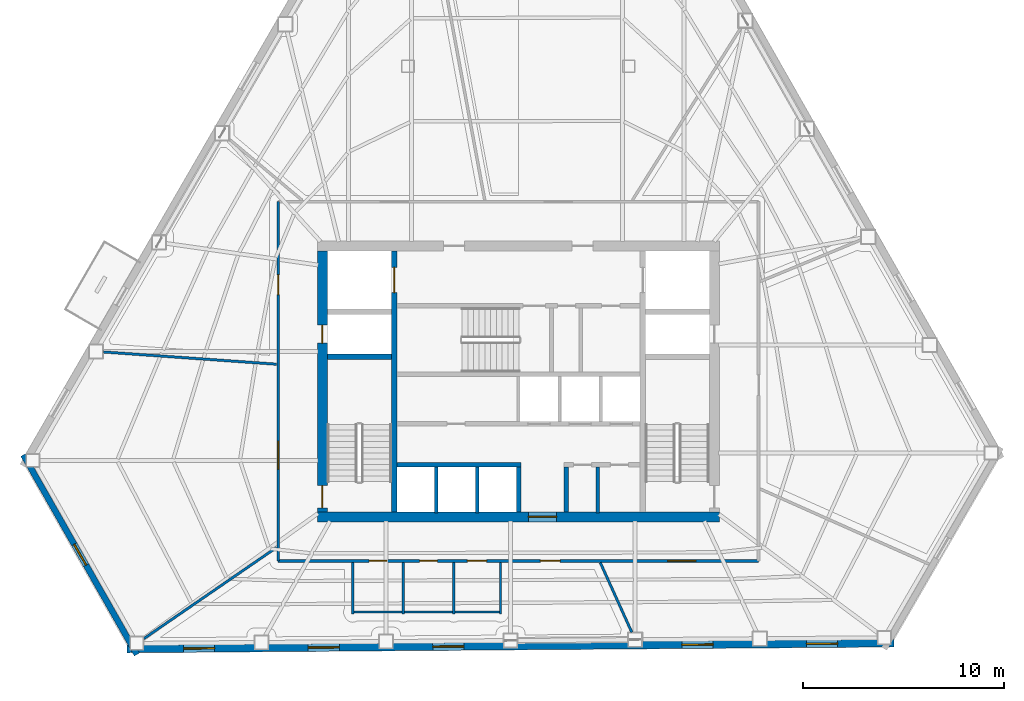
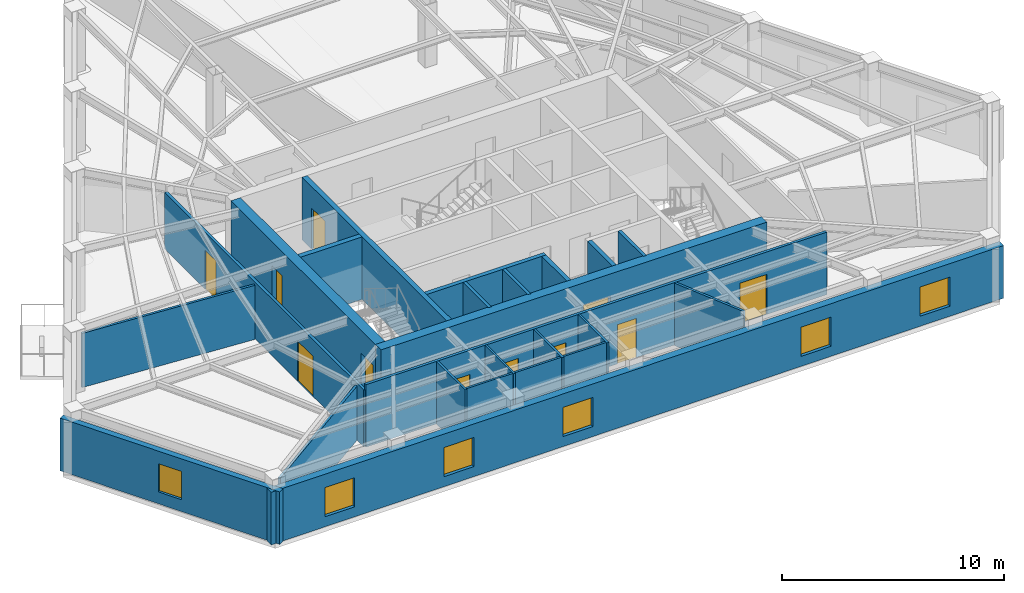
# One storey, part 5 of 10: 22 walls, 11 doors, 6 windows, 17 openings.
"""IFC4 building model written with IfcOpenShell, lengths in metres."""

from ifc_helpers import new_model, si_unit, direction, frame, frame_2d, origin, place, context, subcontext, project, spatial, rectangle, extrude, material, layer, layer_set, type_object, element, fill, save


model = new_model("IFC4")

# Units and contexts
model_context = context("Model", 3, precision=1e-05, world=origin(), true_north=direction((0.0, 1.0)))
body_context = subcontext(model_context, "Body", "Model", "MODEL_VIEW")
ifc_project = project(units=[si_unit("LENGTHUNIT", "METRE"), si_unit("AREAUNIT", "SQUARE_METRE"), si_unit("VOLUMEUNIT", "CUBIC_METRE"), si_unit("PLANEANGLEUNIT", "RADIAN"), si_unit("MASSUNIT", "GRAM", prefix="KILO")], contexts=[model_context])

# Site, building, storey
site_placement = place(None, origin())
site = spatial("IfcSite", under=ifc_project, at=site_placement, CompositionType="ELEMENT")
building_placement = place(site_placement, origin())
building = spatial("IfcBuilding", under=site, at=building_placement, Name="Kavelnor Concourse Tower", CompositionType="ELEMENT")
storey_placement = place(building_placement, frame((0.0, 0.0, 150.949951171875)))
storey = spatial("IfcBuildingStorey", under=building, at=storey_placement, Name="L38", CompositionType="ELEMENT", Elevation=150.949951171875)

# Wall, opening, door
ifc_material_1 = material(Name="Concrete C60/75", Category="concrete")
ifc_layer_1 = layer(ifc_material_1, 0.5, Name="Concrete C60/75")
ifc_layer_set_1 = layer_set([ifc_layer_1], Name="Concrete C60/75")
wall_type_1 = type_object("IfcWallType", Name="WL-CORE-Z2-500", PredefinedType="SOLIDWALL", material=ifc_layer_set_1)
wall_1_placement = place(storey_placement, frame((27.97998046875, 9.35009765625, 0.0), z_axis=(0.0, 0.0, 1.0), x_axis=(1.0, 0.0, 0.0)))
wall_1 = element("IfcWall", 1, at=wall_1_placement, inside=storey, type_object=wall_type_1, Name="L38 Central Core South Shear Wall", PredefinedType="SOLIDWALL", context=body_context, shape_type="SweptSolid", body=[
    extrude(rectangle(XDim=20.0400390625, YDim=0.5, at=frame_2d((10.02001953125, 0.0))), origin(), (0.0, 0.0, 1.0), 3.429931640625),
])
opening_1_placement = place(wall_1_placement, frame((10.52001953125, 0.0, 0.0)))
opening_1 = element("IfcOpeningElement", 2, at=opening_1_placement, cuts=wall_1, Name="Opening SD-140", PredefinedType="OPENING", context=body_context, shape_type="SweptSolid", body=[
    extrude(rectangle(XDim=1.39990234375, YDim=2.199951171875, at=frame_2d((0.699951171875, 1.10009765625))), frame((0.0, 0.260009765625, 0.0), z_axis=(0.0, -1.0, 0.0), x_axis=(1.0, 0.0, 0.0)), (0.0, 0.0, 1.0), 0.52001953125),
])
ifc_material_2 = material(Name="Solid-core hardwood timber", Category="wood")
door_type_1 = type_object("IfcDoorType", Name="DR-SUITE-ENTRY-1400", OperationType="NOTDEFINED", PredefinedType="DOOR", material=ifc_material_2)
door_1_placement = place(opening_1_placement, origin())
door_1 = element("IfcDoor", 3, at=door_1_placement, inside=storey, type_object=door_type_1, Name="L38 Passenger Lift Lobby Entry Door", OperationType="SINGLE_SWING_LEFT", OverallHeight=2.199951171875, OverallWidth=1.39990234375, PredefinedType="DOOR", context=body_context, shape_type="SweptSolid", body=[
    extrude(rectangle(XDim=1.39990234375, YDim=2.199951171875, at=frame_2d((0.699951171875, 1.10009765625))), frame((0.0, 0.02490234375, 0.0), z_axis=(0.0, -1.0, 0.0), x_axis=(1.0, 0.0, 0.0)), (0.0, 0.0, 1.0), 0.050048828125),
])
fill(opening_1, door_1)

# Wall, openings, doors
wall_2_placement = place(storey_placement, frame((28.22998046875, 9.60009765625, 0.0), z_axis=(0.0, 0.0, 1.0), x_axis=(0.0, 1.0, 0.0)))
wall_2 = element("IfcWall", 4, at=wall_2_placement, inside=storey, type_object=wall_type_1, Name="L38 Central Core West Shear Wall", PredefinedType="SOLIDWALL", context=body_context, shape_type="SweptSolid", body=[
    extrude(rectangle(XDim=13.0, YDim=0.5, at=frame_2d((6.5, 0.0))), origin(), (0.0, 0.0, 1.0), 3.429931640625),
])
opening_2_placement = place(wall_2_placement, frame((0.199951171875, 0.0, 0.0)))
opening_2 = element("IfcOpeningElement", 5, at=opening_2_placement, cuts=wall_2, Name="Opening FD-110", PredefinedType="OPENING", context=body_context, shape_type="SweptSolid", body=[
    extrude(rectangle(XDim=1.10009765625, YDim=2.14990234375, at=frame_2d((0.550048828125, 1.074951171875))), frame((0.0, 0.260009765625, 0.0), z_axis=(0.0, -1.0, 0.0), x_axis=(1.0, 0.0, 0.0)), (0.0, 0.0, 1.0), 0.52001953125),
])
opening_3_placement = place(wall_2_placement, frame((8.39990234375, 0.0, 0.0)))
opening_3 = element("IfcOpeningElement", 6, at=opening_3_placement, cuts=wall_2, Name="Opening FD-090", PredefinedType="OPENING", context=body_context, shape_type="SweptSolid", body=[
    extrude(rectangle(XDim=0.89990234375, YDim=2.10009765625, at=frame_2d((0.449951171875, 1.050048828125))), frame((0.0, 0.260009765625, 0.0), z_axis=(0.0, -1.0, 0.0), x_axis=(1.0, 0.0, 0.0)), (0.0, 0.0, 1.0), 0.52001953125),
])
ifc_material_3 = material(Name="Steel Grade 350", Category="steel")
door_type_2 = type_object("IfcDoorType", Name="DR-RISER-FIRE-900", OperationType="NOTDEFINED", PredefinedType="DOOR", material=ifc_material_3)
door_2_placement = place(opening_3_placement, origin())
door_2 = element("IfcDoor", 7, at=door_2_placement, inside=storey, type_object=door_type_2, Name="L38 West Riser Access Door", OperationType="SINGLE_SWING_RIGHT", OverallHeight=2.10009765625, OverallWidth=0.89990234375, PredefinedType="DOOR", context=body_context, shape_type="SweptSolid", body=[
    extrude(rectangle(XDim=0.89990234375, YDim=2.10009765625, at=frame_2d((0.449951171875, 1.050048828125))), frame((0.0, 0.02490234375, 0.0), z_axis=(0.0, -1.0, 0.0), x_axis=(1.0, 0.0, 0.0)), (0.0, 0.0, 1.0), 0.050048828125),
])
fill(opening_3, door_2)
door_type_3 = type_object("IfcDoorType", Name="DR-STAIR-FIRE-1100", OperationType="NOTDEFINED", PredefinedType="DOOR", material=ifc_material_3)
door_3_placement = place(opening_2_placement, origin())
door_3 = element("IfcDoor", 8, at=door_3_placement, inside=storey, type_object=door_type_3, Name="L38 Stair ST1 Fire Door", OperationType="SINGLE_SWING_LEFT", OverallHeight=2.14990234375, OverallWidth=1.10009765625, PredefinedType="DOOR", context=body_context, shape_type="SweptSolid", body=[
    extrude(rectangle(XDim=1.10009765625, YDim=2.14990234375, at=frame_2d((0.550048828125, 1.074951171875))), frame((0.0, 0.02490234375, 0.0), z_axis=(0.0, -1.0, 0.0), x_axis=(1.0, 0.0, 0.0)), (0.0, 0.0, 1.0), 0.050048828125),
])
fill(opening_2, door_3)

# Wall, opening, window
ifc_material_4 = material(Name="Buff ironspot clay face brick masonry", Category="masonry")
ifc_layer_2 = layer(ifc_material_4, 0.300048828125, Name="Buff ironspot clay face brick masonry")
ifc_layer_set_2 = layer_set([ifc_layer_2], Name="Buff ironspot clay face brick masonry")
wall_type_2 = type_object("IfcWallType", Name="WL-EXT-BUFF-BRICK-FOLD-300", PredefinedType="STANDARD", material=ifc_layer_set_2)
wall_3_placement = place(storey_placement, frame((18.98779296875, 2.485595703125, 0.0), z_axis=(0.0, 0.0, 1.0), x_axis=(-0.494355320485, 0.869259924941, 0.0)))
wall_3 = element("IfcWall", 9, at=wall_3_placement, inside=storey, type_object=wall_type_2, Name="L38 Exterior Brick Facade Wall E2", PredefinedType="STANDARD", context=body_context, shape_type="SweptSolid", body=[
    extrude(rectangle(XDim=11.445556640625, YDim=0.300048828125, at=frame_2d((5.72265625, 0.0))), origin(), (0.0, 0.0, 1.0), 2.88916015625),
])
opening_4_placement = place(wall_3_placement, frame((5.122802734375, 0.0, 0.64990234375)))
opening_4 = element("IfcOpeningElement", 10, at=opening_4_placement, cuts=wall_3, Name="Opening W-05", PredefinedType="OPENING", context=body_context, shape_type="SweptSolid", body=[
    extrude(rectangle(XDim=1.199951171875, YDim=1.550048828125, at=frame_2d((0.60009765625, 0.77490234375))), frame((0.0, 0.16015625, 0.0), z_axis=(0.0, -1.0, 0.0), x_axis=(1.0, 0.0, 0.0)), (0.0, 0.0, 1.0), 0.320068359375),
])
ifc_material_5 = material(Name="Double low-E argon insulated glazing", Category="glass")
window_type_1 = type_object("IfcWindowType", Name="WIN-FOLD-1200", PartitioningType="SINGLE_PANEL", PredefinedType="WINDOW", material=ifc_material_5)
window_1_placement = place(opening_4_placement, origin())
window_1 = element("IfcWindow", 11, at=window_1_placement, inside=storey, type_object=window_type_1, Name="L38 Chamfer-Fold Facet Window C1", OverallHeight=1.550048828125, OverallWidth=1.199951171875, PartitioningType="SINGLE_PANEL", PredefinedType="WINDOW", context=body_context, shape_type="SweptSolid", body=[
    extrude(rectangle(XDim=1.199951171875, YDim=1.550048828125, at=frame_2d((0.60009765625, 0.77490234375))), frame((0.0, 0.030029296875, 0.0), z_axis=(0.0, -1.0, 0.0), x_axis=(1.0, 0.0, 0.0)), (0.0, 0.0, 1.0), 0.06005859375),
])
fill(opening_4, window_1)

# Wall, openings, windows
ifc_material_6 = material(Name="Red-ochre clay face brick masonry", Category="masonry")
ifc_layer_3 = layer(ifc_material_6, 0.3798828125, Name="Red-ochre clay face brick masonry")
ifc_layer_set_3 = layer_set([ifc_layer_3], Name="Red-ochre clay face brick masonry")
wall_type_3 = type_object("IfcWallType", Name="WL-EXT-RED-BRICK-PIER-380", PredefinedType="STANDARD", material=ifc_layer_set_3)
wall_4_placement = place(storey_placement, frame((56.7080078125, 3.052490234375, 0.0), z_axis=(0.0, 0.0, 1.0), x_axis=(-0.999971472173, -0.007553465491, 0.0)))
wall_4 = element("IfcWall", 12, at=wall_4_placement, inside=storey, type_object=wall_type_3, Name="L38 Exterior Brick Facade Wall E3", PredefinedType="STANDARD", context=body_context, shape_type="SweptSolid", body=[
    extrude(rectangle(XDim=38.2041015625, YDim=0.3798828125, at=frame_2d((19.10205078125, 0.0))), origin(), (0.0, 0.0, 1.0), 2.88916015625),
])
opening_5_placement = place(wall_4_placement, frame((33.843505859375, 0.0, 0.550048828125)))
opening_5 = element("IfcOpeningElement", 13, at=opening_5_placement, cuts=wall_4, Name="Opening W-02", PredefinedType="OPENING", context=body_context, shape_type="SweptSolid", body=[
    extrude(rectangle(XDim=1.550048828125, YDim=1.60009765625, at=frame_2d((0.77490234375, 0.800048828125))), frame((0.0, 0.199951171875, 0.0), z_axis=(0.0, -1.0, 0.0), x_axis=(1.0, 0.0, 0.0)), (0.0, 0.0, 1.0), 0.39990234375),
])
opening_6_placement = place(wall_4_placement, frame((27.635498046875, 0.0, 0.550048828125)))
opening_6 = element("IfcOpeningElement", 14, at=opening_6_placement, cuts=wall_4, Name="Opening W-02", PredefinedType="OPENING", context=body_context, shape_type="SweptSolid", body=[
    extrude(rectangle(XDim=1.550048828125, YDim=1.60009765625, at=frame_2d((0.77490234375, 0.800048828125))), frame((0.0, 0.199951171875, 0.0), z_axis=(0.0, -1.0, 0.0), x_axis=(1.0, 0.0, 0.0)), (0.0, 0.0, 1.0), 0.39990234375),
])
opening_7_placement = place(wall_4_placement, frame((21.427490234375, 0.0, 0.550048828125)))
opening_7 = element("IfcOpeningElement", 15, at=opening_7_placement, cuts=wall_4, Name="Opening W-02", PredefinedType="OPENING", context=body_context, shape_type="SweptSolid", body=[
    extrude(rectangle(XDim=1.550048828125, YDim=1.60009765625, at=frame_2d((0.77490234375, 0.800048828125))), frame((0.0, 0.199951171875, 0.0), z_axis=(0.0, -1.0, 0.0), x_axis=(1.0, 0.0, 0.0)), (0.0, 0.0, 1.0), 0.39990234375),
])
opening_8_placement = place(wall_4_placement, frame((9.011474609375, 0.0, 0.550048828125)))
opening_8 = element("IfcOpeningElement", 16, at=opening_8_placement, cuts=wall_4, Name="Opening W-02", PredefinedType="OPENING", context=body_context, shape_type="SweptSolid", body=[
    extrude(rectangle(XDim=1.550048828125, YDim=1.60009765625, at=frame_2d((0.77490234375, 0.800048828125))), frame((0.0, 0.199951171875, 0.0), z_axis=(0.0, -1.0, 0.0), x_axis=(1.0, 0.0, 0.0)), (0.0, 0.0, 1.0), 0.39990234375),
])
opening_9_placement = place(wall_4_placement, frame((2.803466796875, 0.0, 0.550048828125)))
opening_9 = element("IfcOpeningElement", 17, at=opening_9_placement, cuts=wall_4, Name="Opening W-02", PredefinedType="OPENING", context=body_context, shape_type="SweptSolid", body=[
    extrude(rectangle(XDim=1.550048828125, YDim=1.60009765625, at=frame_2d((0.77490234375, 0.800048828125))), frame((0.0, 0.199951171875, 0.0), z_axis=(0.0, -1.0, 0.0), x_axis=(1.0, 0.0, 0.0)), (0.0, 0.0, 1.0), 0.39990234375),
])
window_type_2 = type_object("IfcWindowType", Name="WIN-PIER-Z2-1650", PartitioningType="SINGLE_PANEL", PredefinedType="WINDOW", material=ifc_material_5)
window_2_placement = place(opening_5_placement, origin())
window_2 = element("IfcWindow", 18, at=window_2_placement, inside=storey, type_object=window_type_2, Name="L38 Deep-Set Brick Pier Window F1-B0", OverallHeight=1.60009765625, OverallWidth=1.550048828125, PartitioningType="SINGLE_PANEL", PredefinedType="WINDOW", context=body_context, shape_type="SweptSolid", body=[
    extrude(rectangle(XDim=1.550048828125, YDim=1.60009765625, at=frame_2d((0.77490234375, 0.800048828125))), frame((0.0, 0.030029296875, 0.0), z_axis=(0.0, -1.0, 0.0), x_axis=(1.0, 0.0, 0.0)), (0.0, 0.0, 1.0), 0.06005859375),
])
fill(opening_5, window_2)
window_3_placement = place(opening_6_placement, origin())
window_3 = element("IfcWindow", 19, at=window_3_placement, inside=storey, type_object=window_type_2, Name="L38 Deep-Set Brick Pier Window F1-B1", OverallHeight=1.60009765625, OverallWidth=1.550048828125, PartitioningType="SINGLE_PANEL", PredefinedType="WINDOW", context=body_context, shape_type="SweptSolid", body=[
    extrude(rectangle(XDim=1.550048828125, YDim=1.60009765625, at=frame_2d((0.77490234375, 0.800048828125))), frame((0.0, 0.030029296875, 0.0), z_axis=(0.0, -1.0, 0.0), x_axis=(1.0, 0.0, 0.0)), (0.0, 0.0, 1.0), 0.06005859375),
])
fill(opening_6, window_3)
window_4_placement = place(opening_7_placement, origin())
window_4 = element("IfcWindow", 20, at=window_4_placement, inside=storey, type_object=window_type_2, Name="L38 Deep-Set Brick Pier Window F1-B2", OverallHeight=1.60009765625, OverallWidth=1.550048828125, PartitioningType="SINGLE_PANEL", PredefinedType="WINDOW", context=body_context, shape_type="SweptSolid", body=[
    extrude(rectangle(XDim=1.550048828125, YDim=1.60009765625, at=frame_2d((0.77490234375, 0.800048828125))), frame((0.0, 0.030029296875, 0.0), z_axis=(0.0, -1.0, 0.0), x_axis=(1.0, 0.0, 0.0)), (0.0, 0.0, 1.0), 0.06005859375),
])
fill(opening_7, window_4)
window_5_placement = place(opening_8_placement, origin())
window_5 = element("IfcWindow", 21, at=window_5_placement, inside=storey, type_object=window_type_2, Name="L38 Deep-Set Brick Pier Window F1-B4", OverallHeight=1.60009765625, OverallWidth=1.550048828125, PartitioningType="SINGLE_PANEL", PredefinedType="WINDOW", context=body_context, shape_type="SweptSolid", body=[
    extrude(rectangle(XDim=1.550048828125, YDim=1.60009765625, at=frame_2d((0.77490234375, 0.800048828125))), frame((0.0, 0.030029296875, 0.0), z_axis=(0.0, -1.0, 0.0), x_axis=(1.0, 0.0, 0.0)), (0.0, 0.0, 1.0), 0.06005859375),
])
fill(opening_8, window_5)
window_6_placement = place(opening_9_placement, origin())
window_6 = element("IfcWindow", 22, at=window_6_placement, inside=storey, type_object=window_type_2, Name="L38 Deep-Set Brick Pier Window F1-B5", OverallHeight=1.60009765625, OverallWidth=1.550048828125, PartitioningType="SINGLE_PANEL", PredefinedType="WINDOW", context=body_context, shape_type="SweptSolid", body=[
    extrude(rectangle(XDim=1.550048828125, YDim=1.60009765625, at=frame_2d((0.77490234375, 0.800048828125))), frame((0.0, 0.030029296875, 0.0), z_axis=(0.0, -1.0, 0.0), x_axis=(1.0, 0.0, 0.0)), (0.0, 0.0, 1.0), 0.06005859375),
])
fill(opening_9, window_6)

# Wall, openings, doors
ifc_material_7 = material(Name="Gypsum plasterboard on light-gauge steel studs", Category="steel")
ifc_layer_4 = layer(ifc_material_7, 0.14501953125, Name="Gypsum plasterboard on light-gauge steel studs")
ifc_layer_set_4 = layer_set([ifc_layer_4], Name="Gypsum plasterboard on light-gauge steel studs")
wall_type_4 = type_object("IfcWallType", Name="WL-INT-CORR-145", PredefinedType="PARTITIONING", material=ifc_layer_set_4)
wall_5_placement = place(storey_placement, frame((26.030029296875, 25.050048828125, 0.0), z_axis=(0.0, 0.0, 1.0), x_axis=(0.0, -1.0, 0.0)))
wall_5 = element("IfcWall", 23, at=wall_5_placement, inside=storey, type_object=wall_type_4, Name="L38 Corridor Wall WL-L38-CR-03", PredefinedType="PARTITIONING", context=body_context, shape_type="SweptSolid", body=[
    extrude(rectangle(XDim=17.900146484375, YDim=0.14501953125, at=frame_2d((8.9501953125, 0.0))), origin(), (0.0, 0.0, 1.0), 3.1181640625),
])
opening_10_placement = place(wall_5_placement, frame((3.644287109375, 0.0, 0.0)))
opening_10 = element("IfcOpeningElement", 24, at=opening_10_placement, cuts=wall_5, Name="Opening OD-098", PredefinedType="OPENING", context=body_context, shape_type="SweptSolid", body=[
    extrude(rectangle(XDim=0.97998046875, YDim=2.14990234375, at=frame_2d((0.489990234375, 1.074951171875))), frame((0.0, 0.08251953125, 0.0), z_axis=(0.0, -1.0, 0.0), x_axis=(1.0, 0.0, 0.0)), (0.0, 0.0, 1.0), 0.1650390625),
])
opening_11_placement = place(wall_5_placement, frame((11.935546875, 0.0, 0.0)))
opening_11 = element("IfcOpeningElement", 25, at=opening_11_placement, cuts=wall_5, Name="Opening SD-140", PredefinedType="OPENING", context=body_context, shape_type="SweptSolid", body=[
    extrude(rectangle(XDim=1.39990234375, YDim=2.199951171875, at=frame_2d((0.699951171875, 1.10009765625))), frame((0.0, 0.08251953125, 0.0), z_axis=(0.0, -1.0, 0.0), x_axis=(1.0, 0.0, 0.0)), (0.0, 0.0, 1.0), 0.1650390625),
])
door_type_4 = type_object("IfcDoorType", Name="DR-OFFICE-980", OperationType="NOTDEFINED", PredefinedType="DOOR", material=ifc_material_2)
door_4_placement = place(opening_10_placement, origin())
door_4 = element("IfcDoor", 26, at=door_4_placement, inside=storey, type_object=door_type_4, Name="L38 Executive Dining Room 04 Door", OperationType="SINGLE_SWING_LEFT", OverallHeight=2.14990234375, OverallWidth=0.97998046875, PredefinedType="DOOR", context=body_context, shape_type="SweptSolid", body=[
    extrude(rectangle(XDim=0.97998046875, YDim=2.14990234375, at=frame_2d((0.489990234375, 1.074951171875))), frame((0.0, 0.02490234375, 0.0), z_axis=(0.0, -1.0, 0.0), x_axis=(1.0, 0.0, 0.0)), (0.0, 0.0, 1.0), 0.050048828125),
])
fill(opening_10, door_4)
door_5_placement = place(opening_11_placement, origin())
door_5 = element("IfcDoor", 27, at=door_5_placement, inside=storey, type_object=door_type_1, Name="L38 Executive Dining Room 05 Door", OperationType="SINGLE_SWING_RIGHT", OverallHeight=2.199951171875, OverallWidth=1.39990234375, PredefinedType="DOOR", context=body_context, shape_type="SweptSolid", body=[
    extrude(rectangle(XDim=1.39990234375, YDim=2.199951171875, at=frame_2d((0.699951171875, 1.10009765625))), frame((0.0, 0.02490234375, 0.0), z_axis=(0.0, -1.0, 0.0), x_axis=(1.0, 0.0, 0.0)), (0.0, 0.0, 1.0), 0.050048828125),
])
fill(opening_11, door_5)

wall_6_placement = place(storey_placement, frame((26.030029296875, 7.14990234375, 0.0), z_axis=(0.0, 0.0, 1.0), x_axis=(1.0, 0.0, 0.0)))
wall_6 = element("IfcWall", 28, at=wall_6_placement, inside=storey, type_object=wall_type_4, Name="L38 Corridor Wall WL-L38-CR-04", PredefinedType="PARTITIONING", context=body_context, shape_type="SweptSolid", body=[
    extrude(rectangle(XDim=23.93994140625, YDim=0.14501953125, at=frame_2d((11.969970703125, 0.0))), origin(), (0.0, 0.0, 1.0), 3.429931640625),
])
opening_12_placement = place(wall_6_placement, frame((4.530029296875, 0.0, 0.0)))
opening_12 = element("IfcOpeningElement", 29, at=opening_12_placement, cuts=wall_6, Name="Opening WD-088", PredefinedType="OPENING", context=body_context, shape_type="SweptSolid", body=[
    extrude(rectangle(XDim=0.8798828125, YDim=2.10009765625, at=frame_2d((0.43994140625, 1.050048828125))), frame((0.0, 0.08251953125, 0.0), z_axis=(0.0, -1.0, 0.0), x_axis=(1.0, 0.0, 0.0)), (0.0, 0.0, 1.0), 0.1650390625),
])
opening_13_placement = place(wall_6_placement, frame((7.050048828125, 0.0, 0.0)))
opening_13 = element("IfcOpeningElement", 30, at=opening_13_placement, cuts=wall_6, Name="Opening WD-088", PredefinedType="OPENING", context=body_context, shape_type="SweptSolid", body=[
    extrude(rectangle(XDim=0.8798828125, YDim=2.10009765625, at=frame_2d((0.43994140625, 1.050048828125))), frame((0.0, 0.08251953125, 0.0), z_axis=(0.0, -1.0, 0.0), x_axis=(1.0, 0.0, 0.0)), (0.0, 0.0, 1.0), 0.1650390625),
])
opening_14_placement = place(wall_6_placement, frame((9.429931640625, 0.0, 0.0)))
opening_14 = element("IfcOpeningElement", 31, at=opening_14_placement, cuts=wall_6, Name="Opening WD-096", PredefinedType="OPENING", context=body_context, shape_type="SweptSolid", body=[
    extrude(rectangle(XDim=0.9599609375, YDim=2.10009765625, at=frame_2d((0.47998046875, 1.050048828125))), frame((0.0, 0.08251953125, 0.0), z_axis=(0.0, -1.0, 0.0), x_axis=(1.0, 0.0, 0.0)), (0.0, 0.0, 1.0), 0.1650390625),
])
opening_15_placement = place(wall_6_placement, frame((13.0625, 0.0, 0.0)))
opening_15 = element("IfcOpeningElement", 32, at=opening_15_placement, cuts=wall_6, Name="Opening OD-098", PredefinedType="OPENING", context=body_context, shape_type="SweptSolid", body=[
    extrude(rectangle(XDim=0.97998046875, YDim=2.14990234375, at=frame_2d((0.489990234375, 1.074951171875))), frame((0.0, 0.08251953125, 0.0), z_axis=(0.0, -1.0, 0.0), x_axis=(1.0, 0.0, 0.0)), (0.0, 0.0, 1.0), 0.1650390625),
])
opening_16_placement = place(wall_6_placement, frame((19.40966796875, 0.0, 0.0)))
opening_16 = element("IfcOpeningElement", 33, at=opening_16_placement, cuts=wall_6, Name="Opening SD-140", PredefinedType="OPENING", context=body_context, shape_type="SweptSolid", body=[
    extrude(rectangle(XDim=1.39990234375, YDim=2.199951171875, at=frame_2d((0.699951171875, 1.10009765625))), frame((0.0, 0.08251953125, 0.0), z_axis=(0.0, -1.0, 0.0), x_axis=(1.0, 0.0, 0.0)), (0.0, 0.0, 1.0), 0.1650390625),
])
door_6_placement = place(opening_15_placement, origin())
door_6 = element("IfcDoor", 34, at=door_6_placement, inside=storey, type_object=door_type_4, Name="L38 Executive Dining Room 06 Door", OperationType="SINGLE_SWING_LEFT", OverallHeight=2.14990234375, OverallWidth=0.97998046875, PredefinedType="DOOR", context=body_context, shape_type="SweptSolid", body=[
    extrude(rectangle(XDim=0.97998046875, YDim=2.14990234375, at=frame_2d((0.489990234375, 1.074951171875))), frame((0.0, 0.02490234375, 0.0), z_axis=(0.0, -1.0, 0.0), x_axis=(1.0, 0.0, 0.0)), (0.0, 0.0, 1.0), 0.050048828125),
])
fill(opening_15, door_6)
door_7_placement = place(opening_16_placement, origin())
door_7 = element("IfcDoor", 35, at=door_7_placement, inside=storey, type_object=door_type_1, Name="L38 Workplace Open Office 07 Door", OperationType="SINGLE_SWING_RIGHT", OverallHeight=2.199951171875, OverallWidth=1.39990234375, PredefinedType="DOOR", context=body_context, shape_type="SweptSolid", body=[
    extrude(rectangle(XDim=1.39990234375, YDim=2.199951171875, at=frame_2d((0.699951171875, 1.10009765625))), frame((0.0, 0.02490234375, 0.0), z_axis=(0.0, -1.0, 0.0), x_axis=(1.0, 0.0, 0.0)), (0.0, 0.0, 1.0), 0.050048828125),
])
fill(opening_16, door_7)
door_type_5 = type_object("IfcDoorType", Name="DR-WC-ACC-960", OperationType="NOTDEFINED", PredefinedType="DOOR", material=ifc_material_2)
door_8_placement = place(opening_14_placement, origin())
door_8 = element("IfcDoor", 36, at=door_8_placement, inside=storey, type_object=door_type_5, Name="L38 Accessible WC Door", OperationType="SINGLE_SWING_LEFT", OverallHeight=2.10009765625, OverallWidth=0.9599609375, PredefinedType="DOOR", context=body_context, shape_type="SweptSolid", body=[
    extrude(rectangle(XDim=0.9599609375, YDim=2.10009765625, at=frame_2d((0.47998046875, 1.050048828125))), frame((0.0, 0.02490234375, 0.0), z_axis=(0.0, -1.0, 0.0), x_axis=(1.0, 0.0, 0.0)), (0.0, 0.0, 1.0), 0.050048828125),
])
fill(opening_14, door_8)
door_type_6 = type_object("IfcDoorType", Name="DR-WC-STD-880", OperationType="NOTDEFINED", PredefinedType="DOOR", material=ifc_material_2)
door_9_placement = place(opening_12_placement, origin())
door_9 = element("IfcDoor", 37, at=door_9_placement, inside=storey, type_object=door_type_6, Name="L38 Male WC Door", OperationType="SINGLE_SWING_LEFT", OverallHeight=2.10009765625, OverallWidth=0.8798828125, PredefinedType="DOOR", context=body_context, shape_type="SweptSolid", body=[
    extrude(rectangle(XDim=0.8798828125, YDim=2.10009765625, at=frame_2d((0.43994140625, 1.050048828125))), frame((0.0, 0.02490234375, 0.0), z_axis=(0.0, -1.0, 0.0), x_axis=(1.0, 0.0, 0.0)), (0.0, 0.0, 1.0), 0.050048828125),
])
fill(opening_12, door_9)
door_10_placement = place(opening_13_placement, origin())
door_10 = element("IfcDoor", 38, at=door_10_placement, inside=storey, type_object=door_type_6, Name="L38 Female WC Door", OperationType="SINGLE_SWING_RIGHT", OverallHeight=2.10009765625, OverallWidth=0.8798828125, PredefinedType="DOOR", context=body_context, shape_type="SweptSolid", body=[
    extrude(rectangle(XDim=0.8798828125, YDim=2.10009765625, at=frame_2d((0.43994140625, 1.050048828125))), frame((0.0, 0.02490234375, 0.0), z_axis=(0.0, -1.0, 0.0), x_axis=(1.0, 0.0, 0.0)), (0.0, 0.0, 1.0), 0.050048828125),
])
fill(opening_13, door_10)

# Walls
ifc_layer_5 = layer(ifc_material_7, 0.1650390625, Name="Gypsum plasterboard on light-gauge steel studs")
ifc_layer_set_5 = layer_set([ifc_layer_5], Name="Gypsum plasterboard on light-gauge steel studs")
wall_type_5 = type_object("IfcWallType", Name="WL-INT-FIRE-165", PredefinedType="PARTITIONING", material=ifc_layer_set_5)
for number, where, z_axis, x_axis, name in (
    (39, (33.89990234375, 9.550048828125, 0.0), (0.0, 0.0, 1.0), (0.0, 1.0, 0.0), "L38 Lift Shaft Divider LP7"),
    (40, (35.949951171875, 9.550048828125, 0.0), (0.0, 0.0, 1.0), (0.0, 1.0, 0.0), "L38 Lift Shaft Divider LP8"),
    (41, (41.949951171875, 9.550048828125, 0.0), (0.0, 0.0, 1.0), (0.0, 1.0, 0.0), "L38 Core WC Partition"),
):
    element("IfcWall", number, at=place(storey_placement, frame(where, z_axis=z_axis, x_axis=x_axis)), inside=storey, type_object=wall_type_5, Name=name, PredefinedType="PARTITIONING", context=body_context, shape_type="SweptSolid", body=[
        extrude(rectangle(XDim=2.2900390625, YDim=0.1650390625, at=frame_2d((1.14501953125, 0.0))), origin(), (0.0, 0.0, 1.0), 3.429931640625),
    ])
ifc_layer_6 = layer(ifc_material_7, 0.125, Name="Gypsum plasterboard on light-gauge steel studs")
ifc_layer_set_6 = layer_set([ifc_layer_6], Name="Gypsum plasterboard on light-gauge steel studs")
wall_type_6 = type_object("IfcWallType", Name="WL-INT-SUITE-125", PredefinedType="PARTITIONING", material=ifc_layer_set_6)
wall_7_placement = place(storey_placement, frame((25.949462890625, 16.952880859375, 0.0), z_axis=(0.0, 0.0, 1.0), x_axis=(-0.997506141345, 0.070579727824, 0.0)))
element("IfcWall", 42, at=wall_7_placement, inside=storey, type_object=wall_type_6, Name="L38 Radial Suite Partition 05", PredefinedType="PARTITIONING", context=body_context, shape_type="SweptSolid", body=[
    extrude(rectangle(XDim=8.657958984375, YDim=0.125, at=frame_2d((4.3291015625, 0.0))), origin(), (0.0, 0.0, 1.0), 2.970947265625),
])
wall_8_placement = place(storey_placement, frame((25.949462890625, 7.822021484375, 0.0), z_axis=(0.0, 0.0, 1.0), x_axis=(-0.824259265704, -0.566212559823, 0.0)))
element("IfcWall", 43, at=wall_8_placement, inside=storey, type_object=wall_type_6, Name="L38 Radial Suite Partition 06", PredefinedType="PARTITIONING", context=body_context, shape_type="SweptSolid", body=[
    extrude(rectangle(XDim=8.02783203125, YDim=0.125, at=frame_2d((4.013916015625, 0.0))), origin(), (0.0, 0.0, 1.0), 2.970947265625),
])
wall_9_placement = place(storey_placement, frame((42.079345703125, 7.069580078125, 0.0), z_axis=(0.0, 0.0, 1.0), x_axis=(0.411694746123, -0.911321807056, 0.0)))
element("IfcWall", 44, at=wall_9_placement, inside=storey, type_object=wall_type_6, Name="L38 Radial Suite Partition 07", PredefinedType="PARTITIONING", context=body_context, shape_type="SweptSolid", body=[
    extrude(rectangle(XDim=3.81494140625, YDim=0.125, at=frame_2d((1.907470703125, 0.0))), origin(), (0.0, 0.0, 1.0), 3.429931640625),
])
ifc_layer_7 = layer(ifc_material_7, 0.110107421875, Name="Gypsum plasterboard on light-gauge steel studs")
ifc_layer_set_7 = layer_set([ifc_layer_7], Name="Gypsum plasterboard on light-gauge steel studs")
wall_type_7 = type_object("IfcWallType", Name="WL-INT-WC-110", PredefinedType="PLUMBINGWALL", material=ifc_layer_set_7)
for number, where, z_axis, x_axis, name in (
    (45, (29.739990234375, 4.5, 0.0), (0.0, 0.0, 1.0), (0.0, 1.0, 0.0), "L38 Sanitary Partition WL-L38-WC-W"),
    (46, (32.260009765625, 4.5, 0.0), (0.0, 0.0, 1.0), (0.0, 1.0, 0.0), "L38 Sanitary Partition WL-L38-WC-D1"),
    (47, (34.780029296875, 4.5, 0.0), (0.0, 0.0, 1.0), (0.0, 1.0, 0.0), "L38 Sanitary Partition WL-L38-WC-D2"),
    (48, (37.10009765625, 4.5, 0.0), (0.0, 0.0, 1.0), (0.0, 1.0, 0.0), "L38 Sanitary Partition WL-L38-WC-E"),
):
    element("IfcWall", number, at=place(storey_placement, frame(where, z_axis=z_axis, x_axis=x_axis)), inside=storey, type_object=wall_type_7, Name=name, PredefinedType="PLUMBINGWALL", context=body_context, shape_type="SweptSolid", body=[
        extrude(rectangle(XDim=2.580078125, YDim=0.110107421875, at=frame_2d((1.2900390625, 0.0))), origin(), (0.0, 0.0, 1.0), 3.429931640625),
    ])
wall_10_placement = place(storey_placement, frame((29.68994140625, 4.60009765625, 0.0), z_axis=(0.0, 0.0, 1.0), x_axis=(1.0, 0.0, 0.0)))
element("IfcWall", 49, at=wall_10_placement, inside=storey, type_object=wall_type_7, Name="L38 Sanitary Partition WL-L38-WC-S", PredefinedType="PLUMBINGWALL", context=body_context, shape_type="SweptSolid", body=[
    extrude(rectangle(XDim=7.4599609375, YDim=0.110107421875, at=frame_2d((3.72998046875, 0.0))), origin(), (0.0, 0.0, 1.0), 3.429931640625),
])
ifc_material_8 = material(Name="Concrete C50/60", Category="concrete")
ifc_layer_8 = layer(ifc_material_8, 0.219970703125, Name="Concrete C50/60")
ifc_layer_set_8 = layer_set([ifc_layer_8], Name="Concrete C50/60")
wall_type_8 = type_object("IfcWallType", Name="WL-SHAFT-220", PredefinedType="SOLIDWALL", material=ifc_layer_set_8)
wall_11_placement = place(storey_placement, frame((31.93994140625, 11.949951171875, 0.0), z_axis=(0.0, 0.0, 1.0), x_axis=(1.0, 0.0, 0.0)))
element("IfcWall", 50, at=wall_11_placement, inside=storey, type_object=wall_type_8, Name="L38 High-Rise Lift Bank North Wall", PredefinedType="SOLIDWALL", context=body_context, shape_type="SweptSolid", body=[
    extrude(rectangle(XDim=6.18994140625, YDim=0.219970703125, at=frame_2d((3.094970703125, 0.0))), origin(), (0.0, 0.0, 1.0), 3.429931640625),
])
for number, where, z_axis, x_axis, name in (
    (51, (38.02001953125, 9.60009765625, 0.0), (0.0, 0.0, 1.0), (0.0, 1.0, 0.0), "L38 Lift Lobby Throat West Wall"),
    (52, (40.389892578125, 9.60009765625, 0.0), (0.0, 0.0, 1.0), (0.0, 1.0, 0.0), "L38 Lift Lobby Throat East Wall"),
):
    element("IfcWall", number, at=place(storey_placement, frame(where, z_axis=z_axis, x_axis=x_axis)), inside=storey, type_object=wall_type_8, Name=name, PredefinedType="SOLIDWALL", context=body_context, shape_type="SweptSolid", body=[
        extrude(rectangle(XDim=2.239990234375, YDim=0.219970703125, at=frame_2d((1.1201171875, 0.0))), origin(), (0.0, 0.0, 1.0), 3.429931640625),
    ])

# Wall, opening, door
ifc_layer_9 = layer(ifc_material_8, 0.260009765625, Name="Concrete C50/60")
ifc_layer_set_9 = layer_set([ifc_layer_9], Name="Concrete C50/60")
wall_type_9 = type_object("IfcWallType", Name="WL-SHAFT-260", PredefinedType="SHEAR", material=ifc_layer_set_9)
wall_12_placement = place(storey_placement, frame((31.81005859375, 9.60009765625, 0.0), z_axis=(0.0, 0.0, 1.0), x_axis=(0.0, 1.0, 0.0)))
wall_12 = element("IfcWall", 53, at=wall_12_placement, inside=storey, type_object=wall_type_9, Name="L38 Core West Wing Shear Wall", PredefinedType="SHEAR", context=body_context, shape_type="SweptSolid", body=[
    extrude(rectangle(XDim=13.0, YDim=0.260009765625, at=frame_2d((6.5, 0.0))), origin(), (0.0, 0.0, 1.0), 3.429931640625),
])
opening_17_placement = place(wall_12_placement, frame((10.925048828125, 0.0, 0.0)))
opening_17 = element("IfcOpeningElement", 54, at=opening_17_placement, cuts=wall_12, Name="Opening LD-125", PredefinedType="OPENING", context=body_context, shape_type="SweptSolid", body=[
    extrude(rectangle(XDim=1.25, YDim=2.25, at=frame_2d((0.625, 1.125))), frame((0.0, 0.14013671875, 0.0), z_axis=(0.0, -1.0, 0.0), x_axis=(1.0, 0.0, 0.0)), (0.0, 0.0, 1.0), 0.280029296875),
])
door_type_7 = type_object("IfcDoorType", Name="DR-LIFT-SLIDING-1250", OperationType="NOTDEFINED", PredefinedType="DOOR", material=ifc_material_3)
door_11_placement = place(opening_17_placement, origin())
door_11 = element("IfcDoor", 55, at=door_11_placement, inside=storey, type_object=door_type_7, Name="L38 Emergency Lift FL1 Landing Door", OperationType="DOUBLE_DOOR_SLIDING", OverallHeight=2.25, OverallWidth=1.25, PredefinedType="DOOR", context=body_context, shape_type="SweptSolid", body=[
    extrude(rectangle(XDim=1.25, YDim=2.25, at=frame_2d((0.625, 1.125))), frame((0.0, 0.02490234375, 0.0), z_axis=(0.0, -1.0, 0.0), x_axis=(1.0, 0.0, 0.0)), (0.0, 0.0, 1.0), 0.050048828125),
])
fill(opening_17, door_11)

# Wall
wall_13_placement = place(storey_placement, frame((28.47998046875, 17.330078125, 0.0), z_axis=(0.0, 0.0, 1.0), x_axis=(1.0, 0.0, 0.0)))
element("IfcWall", 56, at=wall_13_placement, inside=storey, type_object=wall_type_9, Name="L38 Stair ST1 North Shaft Wall", PredefinedType="SHEAR", context=body_context, shape_type="SweptSolid", body=[
    extrude(rectangle(XDim=3.199951171875, YDim=0.260009765625, at=frame_2d((1.60009765625, 0.0))), origin(), (0.0, 0.0, 1.0), 3.429931640625),
])

save(model, "model.ifc")
